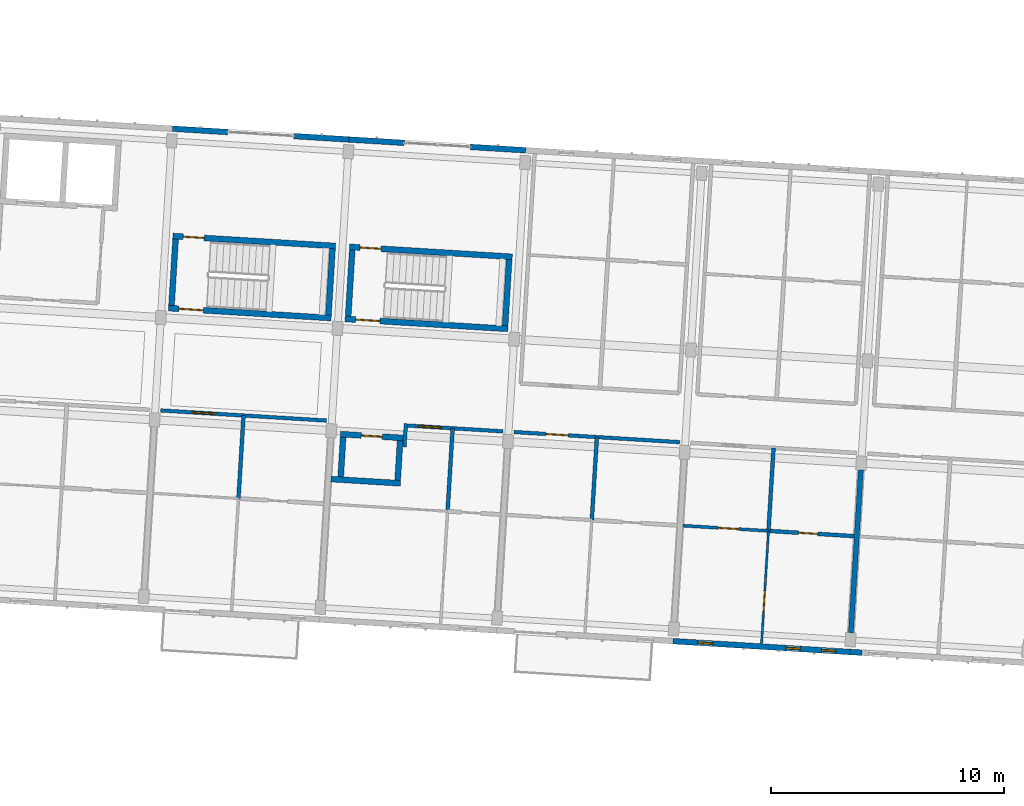
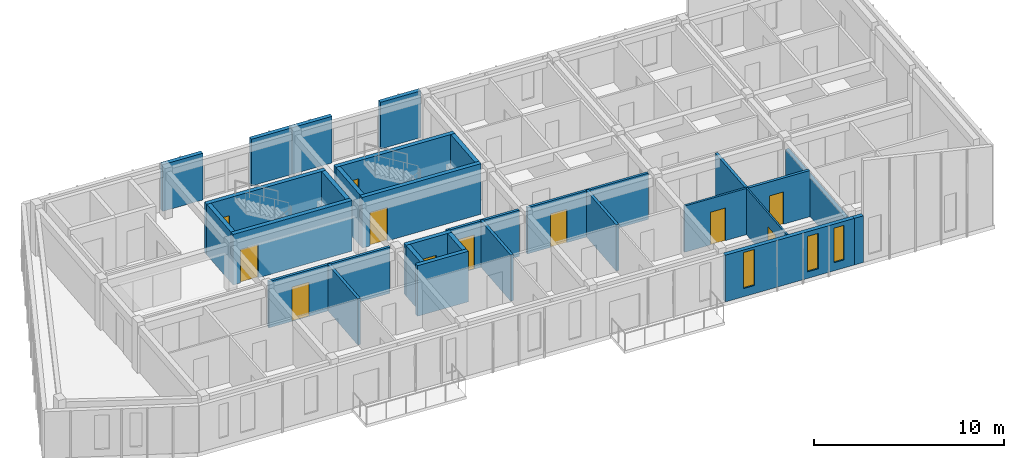
# One storey, part 26 of 64: 30 walls, 11 doors, 3 windows, 14 openings.
"""IFC4 building model written with IfcOpenShell, lengths in metres."""

from ifc_helpers import new_model, si_unit, direction, frame, frame_2d, origin, place, context, subcontext, project, spatial, rectangle, extrude, material, layer, layer_set, type_object, element, fill, save


model = new_model("IFC4")

# Units and contexts
model_context = context("Model", 3, precision=1e-05, world=origin(), true_north=direction((0.0, 1.0)))
body_context = subcontext(model_context, "Body", "Model", "MODEL_VIEW")
ifc_project = project(units=[si_unit("LENGTHUNIT", "METRE"), si_unit("AREAUNIT", "SQUARE_METRE"), si_unit("VOLUMEUNIT", "CUBIC_METRE"), si_unit("PLANEANGLEUNIT", "RADIAN"), si_unit("MASSUNIT", "GRAM", prefix="KILO")], contexts=[model_context])

# Site, building, storey
site_placement = place(None, origin())
site = spatial("IfcSite", under=ifc_project, at=site_placement, CompositionType="ELEMENT")
building_placement = place(site_placement, origin())
building = spatial("IfcBuilding", under=site, at=building_placement, Name="Kestramere Prow Commons", CompositionType="ELEMENT")
storey_placement = place(building_placement, frame((0.0, 0.0, 24.64990234375)))
storey = spatial("IfcBuildingStorey", under=building, at=storey_placement, Name="L07", CompositionType="ELEMENT", Elevation=24.64990234375)

# Wall, openings, windows
ifc_material_1 = material(Name="Fluoropolymer Standing-Seam Zinc-Aluminium Cladding", Category="aluminium")
ifc_layer_1 = layer(ifc_material_1, 0.239990234375)
ifc_layer_set_1 = layer_set([ifc_layer_1], Name="Fluoropolymer Standing-Seam Zinc-Aluminium Cladding")
wall_type_1 = type_object("IfcWallType", Name="EW-SEAM-240", PredefinedType="SOLIDWALL", material=ifc_layer_set_1)
wall_1_placement = place(storey_placement, frame((97.39697265625, 43.65625, 0.0), z_axis=(0.0, 0.0, 1.0), x_axis=(-0.998135549572, 0.061036257095, 0.0)))
wall_1 = element("IfcWall", 1, at=wall_1_placement, inside=storey, type_object=wall_type_1, Name="Block C L07 South Standing-Seam Wall 5", PredefinedType="SOLIDWALL", context=body_context, shape_type="SweptSolid", body=[
    extrude(rectangle(XDim=7.599853515625, YDim=0.239990234375, at=frame_2d((3.7998046875, 0.0))), origin(), (0.0, 0.0, 1.0), 3.0),
])
opening_1_placement = place(wall_1_placement, frame((0.610107421875, 0.0, 0.52001953125)))
opening_1 = element("IfcOpeningElement", 2, at=opening_1_placement, cuts=wall_1, Name="Opening WN-02", PredefinedType="OPENING", context=body_context, shape_type="SweptSolid", body=[
    extrude(rectangle(XDim=0.60009765625, YDim=2.219970703125, at=frame_2d((0.300048828125, 1.10986328125))), frame((0.0, 0.135009765625, 0.0), z_axis=(0.0, -1.0, 0.0), x_axis=(1.0, 0.0, 0.0)), (0.0, 0.0, 1.0), 0.27001953125),
])
opening_2_placement = place(wall_1_placement, frame((2.132080078125, 0.0, 0.419921875)))
opening_2 = element("IfcOpeningElement", 3, at=opening_2_placement, cuts=wall_1, Name="Opening WN-03", PredefinedType="OPENING", context=body_context, shape_type="SweptSolid", body=[
    extrude(rectangle(XDim=0.6201171875, YDim=2.280029296875, at=frame_2d((0.31005859375, 1.14013671875))), frame((0.0, 0.135009765625, 0.0), z_axis=(0.0, -1.0, 0.0), x_axis=(1.0, 0.0, 0.0)), (0.0, 0.0, 1.0), 0.27001953125),
])
opening_3_placement = place(wall_1_placement, frame((5.87744140625, 0.0, 0.52001953125)))
opening_3 = element("IfcOpeningElement", 4, at=opening_3_placement, cuts=wall_1, Name="Opening WN-05", PredefinedType="OPENING", context=body_context, shape_type="SweptSolid", body=[
    extrude(rectangle(XDim=0.659912109375, YDim=2.320068359375, at=frame_2d((0.330078125, 1.16015625))), frame((0.0, 0.135009765625, 0.0), z_axis=(0.0, -1.0, 0.0), x_axis=(1.0, 0.0, 0.0)), (0.0, 0.0, 1.0), 0.27001953125),
])
ifc_material_2 = material(Name="Low-E Laminated Double Glazing", Category="glass")
window_type_1 = type_object("IfcWindowType", Name="WN-NAR-600A", PartitioningType="SINGLE_PANEL", PredefinedType="WINDOW", material=ifc_material_2)
window_1_placement = place(opening_1_placement, origin())
window_1 = element("IfcWindow", 5, at=window_1_placement, inside=storey, type_object=window_type_1, Name="WN-C-L07-S-4-00", OverallHeight=2.219970703125, OverallWidth=0.60009765625, PartitioningType="SINGLE_PANEL", PredefinedType="WINDOW", context=body_context, shape_type="SweptSolid", body=[
    extrude(rectangle(XDim=0.60009765625, YDim=2.219970703125, at=frame_2d((0.300048828125, 1.10986328125))), frame((0.0, 0.030029296875, 0.0), z_axis=(0.0, -1.0, 0.0), x_axis=(1.0, 0.0, 0.0)), (0.0, 0.0, 1.0), 0.06005859375),
])
fill(opening_1, window_1)
window_type_2 = type_object("IfcWindowType", Name="WN-NAR-620A", PartitioningType="SINGLE_PANEL", PredefinedType="WINDOW", material=ifc_material_2)
window_2_placement = place(opening_2_placement, origin())
window_2 = element("IfcWindow", 6, at=window_2_placement, inside=storey, type_object=window_type_2, Name="WN-C-L07-S-4-01", OverallHeight=2.280029296875, OverallWidth=0.6201171875, PartitioningType="SINGLE_PANEL", PredefinedType="WINDOW", context=body_context, shape_type="SweptSolid", body=[
    extrude(rectangle(XDim=0.6201171875, YDim=2.280029296875, at=frame_2d((0.31005859375, 1.14013671875))), frame((0.0, 0.030029296875, 0.0), z_axis=(0.0, -1.0, 0.0), x_axis=(1.0, 0.0, 0.0)), (0.0, 0.0, 1.0), 0.06005859375),
])
fill(opening_2, window_2)
window_type_3 = type_object("IfcWindowType", Name="WN-NAR-660A", PartitioningType="SINGLE_PANEL", PredefinedType="WINDOW", material=ifc_material_2)
window_3_placement = place(opening_3_placement, origin())
window_3 = element("IfcWindow", 7, at=window_3_placement, inside=storey, type_object=window_type_3, Name="WN-C-L07-S-4-10", OverallHeight=2.320068359375, OverallWidth=0.659912109375, PartitioningType="SINGLE_PANEL", PredefinedType="WINDOW", context=body_context, shape_type="SweptSolid", body=[
    extrude(rectangle(XDim=0.659912109375, YDim=2.320068359375, at=frame_2d((0.330078125, 1.16015625))), frame((0.0, 0.030029296875, 0.0), z_axis=(0.0, -1.0, 0.0), x_axis=(1.0, 0.0, 0.0)), (0.0, 0.0, 1.0), 0.06005859375),
])
fill(opening_3, window_3)

# Walls
wall_2_placement = place(storey_placement, frame((97.921142578125, 43.6240234375, 0.0), z_axis=(0.0, 0.0, 1.0), x_axis=(-0.99811537606, 0.061365267648, 0.0)))
element("IfcWall", 8, at=wall_2_placement, inside=storey, type_object=wall_type_1, Name="Block C L07 South Step-Back Spandrel Wall 6", PredefinedType="SOLIDWALL", context=body_context, shape_type="SweptSolid", body=[
    extrude(rectangle(XDim=0.525146484375, YDim=0.239990234375, at=frame_2d((0.2626953125, 0.0))), origin(), (0.0, 0.0, 1.0), 3.0),
])
wall_3_placement = place(storey_placement, frame((68.314453125, 66.12353515625, 0.0), z_axis=(0.0, 0.0, 1.0), x_axis=(0.998134103342, -0.061059902923, 0.0)))
element("IfcWall", 9, at=wall_3_placement, inside=storey, type_object=wall_type_1, Name="Block C L07 North Standing-Seam Pier 2L", PredefinedType="SOLIDWALL", context=body_context, shape_type="SweptSolid", body=[
    extrude(rectangle(XDim=2.375, YDim=0.239990234375, at=frame_2d((1.1875, 0.0))), origin(), (0.0, 0.0, 1.0), 3.0),
])
wall_4_placement = place(storey_placement, frame((73.52978515625, 65.804443359375, 0.0), z_axis=(0.0, 0.0, 1.0), x_axis=(0.998133720034, -0.061066168473, 0.0)))
element("IfcWall", 10, at=wall_4_placement, inside=storey, type_object=wall_type_1, Name="Block C L07 North Standing-Seam Pier 2R", PredefinedType="SOLIDWALL", context=body_context, shape_type="SweptSolid", body=[
    extrude(rectangle(XDim=2.374755859375, YDim=0.239990234375, at=frame_2d((1.1875, 0.0))), origin(), (0.0, 0.0, 1.0), 3.0),
])
for number, where, z_axis, x_axis, name in (
    (11, (75.900146484375, 65.659423828125, 0.0), (0.0, 0.0, 1.0), (0.998140363035, -0.06095749076, 0.0), "Block C L07 North Standing-Seam Pier 3L"),
    (12, (81.115478515625, 65.340576171875, 0.0), (0.0, 0.0, 1.0), (0.998134103342, -0.061059902923, 0.0), "Block C L07 North Standing-Seam Pier 3R"),
):
    element("IfcWall", number, at=place(storey_placement, frame(where, z_axis=z_axis, x_axis=x_axis)), inside=storey, type_object=wall_type_1, Name=name, PredefinedType="SOLIDWALL", context=body_context, shape_type="SweptSolid", body=[
        extrude(rectangle(XDim=2.375, YDim=0.239990234375, at=frame_2d((1.1875, 0.0))), origin(), (0.0, 0.0, 1.0), 3.0),
    ])

# Wall, opening, door
ifc_material_3 = material(Name="Concrete C40/50", Category="concrete")
ifc_layer_2 = layer(ifc_material_3, 0.25)
ifc_layer_set_2 = layer_set([ifc_layer_2], Name="Concrete C40/50")
wall_type_2 = type_object("IfcWallType", Name="W-CORE-250", PredefinedType="SHEAR", material=ifc_layer_set_2)
wall_5_placement = place(storey_placement, frame((68.3330078125, 61.513671875, 0.0), z_axis=(0.0, 0.0, 1.0), x_axis=(0.998135676081, -0.061034188237, 0.0)))
wall_5 = element("IfcWall", 13, at=wall_5_placement, inside=storey, type_object=wall_type_2, Name="ST-C1 L07 North Shaft Wall", PredefinedType="SHEAR", context=body_context, shape_type="SweptSolid", body=[
    extrude(rectangle(XDim=7.0, YDim=0.25, at=frame_2d((3.5, 0.0))), origin(), (0.0, 0.0, 1.0), 3.25),
])
opening_4_placement = place(wall_5_placement, frame((0.449951171875, 0.0, 0.0)))
opening_4 = element("IfcOpeningElement", 14, at=opening_4_placement, cuts=wall_5, Name="Opening ID-08", PredefinedType="OPENING", context=body_context, shape_type="SweptSolid", body=[
    extrude(rectangle(XDim=0.89990234375, YDim=2.10009765625, at=frame_2d((0.449951171875, 1.050048828125))), frame((0.0, 0.139892578125, 0.0), z_axis=(0.0, -1.0, 0.0), x_axis=(1.0, 0.0, 0.0)), (0.0, 0.0, 1.0), 0.280029296875),
])
ifc_material_4 = material(Name="Engineered Timber Flush Door", Category="wood")
door_type_1 = type_object("IfcDoorType", Name="D-RM-01", OperationType="NOTDEFINED", PredefinedType="DOOR", material=ifc_material_4)
door_1_placement = place(opening_4_placement, origin())
door_1 = element("IfcDoor", 15, at=door_1_placement, inside=storey, type_object=door_type_1, Name="ST-C1 L07 North Room Door", OperationType="SINGLE_SWING_RIGHT", OverallHeight=2.10009765625, OverallWidth=0.89990234375, PredefinedType="DOOR", context=body_context, shape_type="SweptSolid", body=[
    extrude(rectangle(XDim=0.89990234375, YDim=2.10009765625, at=frame_2d((0.449951171875, 1.050048828125))), frame((0.0, 0.02490234375, 0.0), z_axis=(0.0, -1.0, 0.0), x_axis=(1.0, 0.0, 0.0)), (0.0, 0.0, 1.0), 0.050048828125),
])
fill(opening_4, door_1)

wall_6_placement = place(storey_placement, frame((68.143798828125, 58.41943359375, 0.0), z_axis=(0.0, 0.0, 1.0), x_axis=(0.998135546153, -0.061036313012, 0.0)))
wall_6 = element("IfcWall", 16, at=wall_6_placement, inside=storey, type_object=wall_type_2, Name="ST-C1 L07 Corridor Shaft Wall", PredefinedType="SHEAR", context=body_context, shape_type="SweptSolid", body=[
    extrude(rectangle(XDim=6.999755859375, YDim=0.25, at=frame_2d((3.5, 0.0))), origin(), (0.0, 0.0, 1.0), 3.25),
])
opening_5_placement = place(wall_6_placement, frame((0.449951171875, 0.0, 0.0)))
opening_5 = element("IfcOpeningElement", 17, at=opening_5_placement, cuts=wall_6, Name="Opening ID-01", PredefinedType="OPENING", context=body_context, shape_type="SweptSolid", body=[
    extrude(rectangle(XDim=1.050048828125, YDim=2.14990234375, at=frame_2d((0.52490234375, 1.074951171875))), frame((0.0, 0.139892578125, 0.0), z_axis=(0.0, -1.0, 0.0), x_axis=(1.0, 0.0, 0.0)), (0.0, 0.0, 1.0), 0.280029296875),
])
ifc_material_5 = material(Name="Fire-Rated Timber and Steel Frame", Category="steel")
door_type_2 = type_object("IfcDoorType", Name="FD-ST-01", OperationType="NOTDEFINED", PredefinedType="DOOR", material=ifc_material_5)
door_2_placement = place(opening_5_placement, origin())
door_2 = element("IfcDoor", 18, at=door_2_placement, inside=storey, type_object=door_type_2, Name="ST-C1 L07 Protected Stair Door", OperationType="SINGLE_SWING_RIGHT", OverallHeight=2.14990234375, OverallWidth=1.050048828125, PredefinedType="DOOR", context=body_context, shape_type="SweptSolid", body=[
    extrude(rectangle(XDim=1.050048828125, YDim=2.14990234375, at=frame_2d((0.52490234375, 1.074951171875))), frame((0.0, 0.02490234375, 0.0), z_axis=(0.0, -1.0, 0.0), x_axis=(1.0, 0.0, 0.0)), (0.0, 0.0, 1.0), 0.050048828125),
])
fill(opening_5, door_2)

# Walls
for number, where, z_axis, x_axis, name in (
    (19, (68.276123046875, 58.53662109375, 0.0), (0.0, 0.0, 1.0), (0.06107697143, 0.998133059046, 0.0), "ST-C1 L07 Near Shaft Wall"),
    (20, (75.013671875, 58.12451171875, 0.0), (0.0, 0.0, 1.0), (0.060991628362, 0.99813827763, 0.0), "ST-C1 L07 Far Shaft Wall"),
):
    element("IfcWall", number, at=place(storey_placement, frame(where, z_axis=z_axis, x_axis=x_axis)), inside=storey, type_object=wall_type_2, Name=name, PredefinedType="SHEAR", context=body_context, shape_type="SweptSolid", body=[
        extrude(rectangle(XDim=2.85009765625, YDim=0.25, at=frame_2d((1.425048828125, 0.0))), origin(), (0.0, 0.0, 1.0), 3.25),
    ])

# Wall, opening, door
wall_7_placement = place(storey_placement, frame((75.9189453125, 61.0498046875, 0.0), z_axis=(0.0, 0.0, 1.0), x_axis=(0.998135546153, -0.061036313012, 0.0)))
wall_7 = element("IfcWall", 21, at=wall_7_placement, inside=storey, type_object=wall_type_2, Name="ST-C2 L07 North Shaft Wall", PredefinedType="SHEAR", context=body_context, shape_type="SweptSolid", body=[
    extrude(rectangle(XDim=6.999755859375, YDim=0.25, at=frame_2d((3.5, 0.0))), origin(), (0.0, 0.0, 1.0), 3.25),
])
opening_6_placement = place(wall_7_placement, frame((0.449951171875, 0.0, 0.0)))
opening_6 = element("IfcOpeningElement", 22, at=opening_6_placement, cuts=wall_7, Name="Opening ID-08", PredefinedType="OPENING", context=body_context, shape_type="SweptSolid", body=[
    extrude(rectangle(XDim=0.89990234375, YDim=2.10009765625, at=frame_2d((0.449951171875, 1.050048828125))), frame((0.0, 0.139892578125, 0.0), z_axis=(0.0, -1.0, 0.0), x_axis=(1.0, 0.0, 0.0)), (0.0, 0.0, 1.0), 0.280029296875),
])
door_3_placement = place(opening_6_placement, origin())
door_3 = element("IfcDoor", 23, at=door_3_placement, inside=storey, type_object=door_type_1, Name="ST-C2 L07 North Room Door", OperationType="SINGLE_SWING_RIGHT", OverallHeight=2.10009765625, OverallWidth=0.89990234375, PredefinedType="DOOR", context=body_context, shape_type="SweptSolid", body=[
    extrude(rectangle(XDim=0.89990234375, YDim=2.10009765625, at=frame_2d((0.449951171875, 1.050048828125))), frame((0.0, 0.02490234375, 0.0), z_axis=(0.0, -1.0, 0.0), x_axis=(1.0, 0.0, 0.0)), (0.0, 0.0, 1.0), 0.050048828125),
])
fill(opening_6, door_3)

wall_8_placement = place(storey_placement, frame((75.729736328125, 57.95556640625, 0.0), z_axis=(0.0, 0.0, 1.0), x_axis=(0.998135546153, -0.061036313012, 0.0)))
wall_8 = element("IfcWall", 24, at=wall_8_placement, inside=storey, type_object=wall_type_2, Name="ST-C2 L07 Corridor Shaft Wall", PredefinedType="SHEAR", context=body_context, shape_type="SweptSolid", body=[
    extrude(rectangle(XDim=6.999755859375, YDim=0.25, at=frame_2d((3.5, 0.0))), origin(), (0.0, 0.0, 1.0), 3.25),
])
opening_7_placement = place(wall_8_placement, frame((0.449951171875, 0.0, 0.0)))
opening_7 = element("IfcOpeningElement", 25, at=opening_7_placement, cuts=wall_8, Name="Opening ID-01", PredefinedType="OPENING", context=body_context, shape_type="SweptSolid", body=[
    extrude(rectangle(XDim=1.050048828125, YDim=2.14990234375, at=frame_2d((0.52490234375, 1.074951171875))), frame((0.0, 0.139892578125, 0.0), z_axis=(0.0, -1.0, 0.0), x_axis=(1.0, 0.0, 0.0)), (0.0, 0.0, 1.0), 0.280029296875),
])
door_4_placement = place(opening_7_placement, origin())
door_4 = element("IfcDoor", 26, at=door_4_placement, inside=storey, type_object=door_type_2, Name="ST-C2 L07 Protected Stair Door", OperationType="SINGLE_SWING_RIGHT", OverallHeight=2.14990234375, OverallWidth=1.050048828125, PredefinedType="DOOR", context=body_context, shape_type="SweptSolid", body=[
    extrude(rectangle(XDim=1.050048828125, YDim=2.14990234375, at=frame_2d((0.52490234375, 1.074951171875))), frame((0.0, 0.02490234375, 0.0), z_axis=(0.0, -1.0, 0.0), x_axis=(1.0, 0.0, 0.0)), (0.0, 0.0, 1.0), 0.050048828125),
])
fill(opening_7, door_4)

# Walls
for number, where, z_axis, x_axis, name in (
    (27, (75.862060546875, 58.07275390625, 0.0), (0.0, 0.0, 1.0), (0.060991628362, 0.99813827763, 0.0), "ST-C2 L07 Near Shaft Wall"),
    (28, (82.599365234375, 57.66064453125, 0.0), (0.0, 0.0, 1.0), (0.06107697143, 0.998133059046, 0.0), "ST-C2 L07 Far Shaft Wall"),
):
    element("IfcWall", number, at=place(storey_placement, frame(where, z_axis=z_axis, x_axis=x_axis)), inside=storey, type_object=wall_type_2, Name=name, PredefinedType="SHEAR", context=body_context, shape_type="SweptSolid", body=[
        extrude(rectangle(XDim=2.85009765625, YDim=0.25, at=frame_2d((1.425048828125, 0.0))), origin(), (0.0, 0.0, 1.0), 3.25),
    ])

# Wall, opening, door
ifc_material_6 = material(Name="Fire-Rated Calcium Silicate Wall")
ifc_layer_3 = layer(ifc_material_6, 0.155029296875)
ifc_layer_set_3 = layer_set([ifc_layer_3], Name="Fire-Rated Calcium Silicate Wall")
wall_type_3 = type_object("IfcWallType", Name="W-FIRE-150", PredefinedType="PARTITIONING", material=ifc_layer_set_3)
wall_9_placement = place(storey_placement, frame((67.81005859375, 54.026611328125, 0.0), z_axis=(0.0, 0.0, 1.0), x_axis=(0.998136655722, -0.061018165369, 0.0)))
wall_9 = element("IfcWall", 29, at=wall_9_placement, inside=storey, type_object=wall_type_3, Name="Interior Partition PW-C-L07-CS-1", PredefinedType="PARTITIONING", context=body_context, shape_type="SweptSolid", body=[
    extrude(rectangle(XDim=7.1298828125, YDim=0.155029296875, at=frame_2d((3.56494140625, 0.0))), origin(), (0.0, 0.0, 1.0), 2.97021484375),
])
opening_8_placement = place(wall_9_placement, frame((1.35498046875, 0.0, 0.0)))
opening_8 = element("IfcOpeningElement", 30, at=opening_8_placement, cuts=wall_9, Name="Opening ID-05", PredefinedType="OPENING", context=body_context, shape_type="SweptSolid", body=[
    extrude(rectangle(XDim=1.02001953125, YDim=2.199951171875, at=frame_2d((0.510009765625, 1.10009765625))), frame((0.0, 0.092529296875, 0.0), z_axis=(0.0, -1.0, 0.0), x_axis=(1.0, 0.0, 0.0)), (0.0, 0.0, 1.0), 0.18505859375),
])
ifc_material_7 = material(Name="Hardwood Fire-Rated Flat Entrance Door", Category="wood")
door_type_3 = type_object("IfcDoorType", Name="FD-ENT-02", OperationType="NOTDEFINED", PredefinedType="DOOR", material=ifc_material_7)
door_5_placement = place(opening_8_placement, origin())
door_5 = element("IfcDoor", 31, at=door_5_placement, inside=storey, type_object=door_type_3, Name="Interior Door DR-C-L07-ENT-S1", OperationType="SINGLE_SWING_LEFT", OverallHeight=2.199951171875, OverallWidth=1.02001953125, PredefinedType="DOOR", context=body_context, shape_type="SweptSolid", body=[
    extrude(rectangle(XDim=1.02001953125, YDim=2.199951171875, at=frame_2d((0.510009765625, 1.10009765625))), frame((0.0, 0.02490234375, 0.0), z_axis=(0.0, -1.0, 0.0), x_axis=(1.0, 0.0, 0.0)), (0.0, 0.0, 1.0), 0.050048828125),
])
fill(opening_8, door_5)

# Wall
wall_10_placement = place(storey_placement, frame((78.279052734375, 52.464599609375, 0.0), z_axis=(0.0, 0.0, 1.0), x_axis=(0.061095097219, 0.998131949742, 0.0)))
element("IfcWall", 32, at=wall_10_placement, inside=storey, type_object=wall_type_3, Name="Interior Partition PW-C-L07-HS-CLOSER", PredefinedType="PARTITIONING", context=body_context, shape_type="SweptSolid", body=[
    extrude(rectangle(XDim=0.9951171875, YDim=0.155029296875, at=frame_2d((0.49755859375, 0.0))), origin(), (0.0, 0.0, 1.0), 2.97021484375),
])

# Wall, opening, door
wall_11_placement = place(storey_placement, frame((78.415283203125, 53.378173828125, 0.0), z_axis=(0.0, 0.0, 1.0), x_axis=(0.998132736029, -0.061082250024, 0.0)))
wall_11 = element("IfcWall", 33, at=wall_11_placement, inside=storey, type_object=wall_type_3, Name="Interior Partition PW-C-L07-CS-2", PredefinedType="PARTITIONING", context=body_context, shape_type="SweptSolid", body=[
    extrude(rectangle(XDim=4.104736328125, YDim=0.155029296875, at=frame_2d((2.05224609375, 0.0))), origin(), (0.0, 0.0, 1.0), 2.97021484375),
])
opening_9_placement = place(wall_11_placement, frame((0.45703125, 0.0, 0.0)))
opening_9 = element("IfcOpeningElement", 34, at=opening_9_placement, cuts=wall_11, Name="Opening ID-05", PredefinedType="OPENING", context=body_context, shape_type="SweptSolid", body=[
    extrude(rectangle(XDim=1.02001953125, YDim=2.199951171875, at=frame_2d((0.510009765625, 1.10009765625))), frame((0.0, 0.092529296875, 0.0), z_axis=(0.0, -1.0, 0.0), x_axis=(1.0, 0.0, 0.0)), (0.0, 0.0, 1.0), 0.18505859375),
])
door_6_placement = place(opening_9_placement, origin())
door_6 = element("IfcDoor", 35, at=door_6_placement, inside=storey, type_object=door_type_3, Name="Interior Door DR-C-L07-ENT-S2", OperationType="SINGLE_SWING_RIGHT", OverallHeight=2.199951171875, OverallWidth=1.02001953125, PredefinedType="DOOR", context=body_context, shape_type="SweptSolid", body=[
    extrude(rectangle(XDim=1.02001953125, YDim=2.199951171875, at=frame_2d((0.510009765625, 1.10009765625))), frame((0.0, 0.02490234375, 0.0), z_axis=(0.0, -1.0, 0.0), x_axis=(1.0, 0.0, 0.0)), (0.0, 0.0, 1.0), 0.050048828125),
])
fill(opening_9, door_6)

wall_12_placement = place(storey_placement, frame((82.981689453125, 53.098876953125, 0.0), z_axis=(0.0, 0.0, 1.0), x_axis=(0.998134569689, -0.061052279168, 0.0)))
wall_12 = element("IfcWall", 36, at=wall_12_placement, inside=storey, type_object=wall_type_3, Name="Interior Partition PW-C-L07-CS-3", PredefinedType="PARTITIONING", context=body_context, shape_type="SweptSolid", body=[
    extrude(rectangle(XDim=7.1298828125, YDim=0.155029296875, at=frame_2d((3.56494140625, 0.0))), origin(), (0.0, 0.0, 1.0), 2.97021484375),
])
opening_10_placement = place(wall_12_placement, frame((1.35498046875, 0.0, 0.0)))
opening_10 = element("IfcOpeningElement", 37, at=opening_10_placement, cuts=wall_12, Name="Opening ID-04", PredefinedType="OPENING", context=body_context, shape_type="SweptSolid", body=[
    extrude(rectangle(XDim=0.97998046875, YDim=2.14990234375, at=frame_2d((0.489990234375, 1.074951171875))), frame((0.0, 0.092529296875, 0.0), z_axis=(0.0, -1.0, 0.0), x_axis=(1.0, 0.0, 0.0)), (0.0, 0.0, 1.0), 0.18505859375),
])
door_type_4 = type_object("IfcDoorType", Name="FD-ENT-01", OperationType="NOTDEFINED", PredefinedType="DOOR", material=ifc_material_7)
door_7_placement = place(opening_10_placement, origin())
door_7 = element("IfcDoor", 38, at=door_7_placement, inside=storey, type_object=door_type_4, Name="Interior Door DR-C-L07-ENT-S3", OperationType="SINGLE_SWING_LEFT", OverallHeight=2.14990234375, OverallWidth=0.97998046875, PredefinedType="DOOR", context=body_context, shape_type="SweptSolid", body=[
    extrude(rectangle(XDim=0.97998046875, YDim=2.14990234375, at=frame_2d((0.489990234375, 1.074951171875))), frame((0.0, 0.02490234375, 0.0), z_axis=(0.0, -1.0, 0.0), x_axis=(1.0, 0.0, 0.0)), (0.0, 0.0, 1.0), 0.050048828125),
])
fill(opening_10, door_7)

# Wall
ifc_layer_4 = layer(ifc_material_3, 0.25)
ifc_layer_set_4 = layer_set([ifc_layer_4], Name="Concrete C40/50")
wall_type_4 = type_object("IfcWallType", Name="W-HS-250", PredefinedType="SHEAR", material=ifc_layer_set_4)
wall_13_placement = place(storey_placement, frame((75.11865234375, 51.080078125, 0.0), z_axis=(0.0, 0.0, 1.0), x_axis=(0.998133370443, -0.061071882298, 0.0)))
element("IfcWall", 39, at=wall_13_placement, inside=storey, type_object=wall_type_4, Name="Block C L07 Household Shelter South Wall", PredefinedType="SHEAR", context=body_context, shape_type="SweptSolid", body=[
    extrude(rectangle(XDim=2.990234375, YDim=0.25, at=frame_2d((1.4951171875, 0.0))), origin(), (0.0, 0.0, 1.0), 3.25),
])

# Wall, opening, door
wall_14_placement = place(storey_placement, frame((75.52734375, 53.0087890625, 0.0), z_axis=(0.0, 0.0, 1.0), x_axis=(0.998129907752, -0.061128448781, 0.0)))
wall_14 = element("IfcWall", 40, at=wall_14_placement, inside=storey, type_object=wall_type_4, Name="Block C L07 Household Shelter North Wall", PredefinedType="SHEAR", context=body_context, shape_type="SweptSolid", body=[
    extrude(rectangle(XDim=2.699951171875, YDim=0.25, at=frame_2d((1.35009765625, 0.0))), origin(), (0.0, 0.0, 1.0), 3.25),
])
opening_11_placement = place(wall_14_placement, frame((0.89990234375, 0.0, 0.0)))
opening_11 = element("IfcOpeningElement", 41, at=opening_11_placement, cuts=wall_14, Name="Opening ID-06", PredefinedType="OPENING", context=body_context, shape_type="SweptSolid", body=[
    extrude(rectangle(XDim=0.89990234375, YDim=2.050048828125, at=frame_2d((0.449951171875, 1.02490234375))), frame((0.0, 0.139892578125, 0.0), z_axis=(0.0, -1.0, 0.0), x_axis=(1.0, 0.0, 0.0)), (0.0, 0.0, 1.0), 0.280029296875),
])
ifc_material_8 = material(Name="Galvanised Steel S275JR Household Shelter Door", Category="steel")
door_type_5 = type_object("IfcDoorType", Name="FD-HS-01", OperationType="NOTDEFINED", PredefinedType="DOOR", material=ifc_material_8)
door_8_placement = place(opening_11_placement, origin())
door_8 = element("IfcDoor", 42, at=door_8_placement, inside=storey, type_object=door_type_5, Name="Block C L07 Household Shelter Blast Door", OperationType="SINGLE_SWING_LEFT", OverallHeight=2.050048828125, OverallWidth=0.89990234375, PredefinedType="DOOR", context=body_context, shape_type="SweptSolid", body=[
    extrude(rectangle(XDim=0.89990234375, YDim=2.050048828125, at=frame_2d((0.449951171875, 1.02490234375))), frame((0.0, 0.02490234375, 0.0), z_axis=(0.0, -1.0, 0.0), x_axis=(1.0, 0.0, 0.0)), (0.0, 0.0, 1.0), 0.050048828125),
])
fill(opening_11, door_8)

# Walls
wall_15_placement = place(storey_placement, frame((75.54052734375, 51.179443359375, 0.0), z_axis=(0.0, 0.0, 1.0), x_axis=(0.061037062968, 0.998135500293, 0.0)))
element("IfcWall", 43, at=wall_15_placement, inside=storey, type_object=wall_type_4, Name="Block C L07 Household Shelter W Wall", PredefinedType="SHEAR", context=body_context, shape_type="SweptSolid", body=[
    extrude(rectangle(XDim=1.699951171875, YDim=0.25, at=frame_2d((0.85009765625, 0.0))), origin(), (0.0, 0.0, 1.0), 3.25),
])
wall_16_placement = place(storey_placement, frame((77.986083984375, 51.02978515625, 0.0), z_axis=(0.0, 0.0, 1.0), x_axis=(0.061028314627, 0.998136035225, 0.0)))
element("IfcWall", 44, at=wall_16_placement, inside=storey, type_object=wall_type_4, Name="Block C L07 Household Shelter E Wall", PredefinedType="SHEAR", context=body_context, shape_type="SweptSolid", body=[
    extrude(rectangle(XDim=1.7001953125, YDim=0.25, at=frame_2d((0.85009765625, 0.0))), origin(), (0.0, 0.0, 1.0), 3.25),
])

# Wall, opening, door
ifc_material_9 = material(Name="Lightweight Blockwork and Plaster", Category="masonry")
ifc_layer_5 = layer(ifc_material_9, 0.1298828125)
ifc_layer_set_5 = layer_set([ifc_layer_5], Name="Lightweight Blockwork and Plaster")
wall_type_5 = type_object("IfcWallType", Name="W-PART-130", PredefinedType="PARTITIONING", material=ifc_layer_set_5)
wall_17_placement = place(storey_placement, frame((90.229736328125, 49.078857421875, 0.0), z_axis=(0.0, 0.0, 1.0), x_axis=(0.998132682596, -0.061083123148, 0.0)))
wall_17 = element("IfcWall", 45, at=wall_17_placement, inside=storey, type_object=wall_type_5, Name="Interior Partition PW-C-L07-MIDS1-4", PredefinedType="PARTITIONING", context=body_context, shape_type="SweptSolid", body=[
    extrude(rectangle(XDim=3.68505859375, YDim=0.1298828125, at=frame_2d((1.842529296875, 0.0))), origin(), (0.0, 0.0, 1.0), 2.97021484375),
])
opening_12_placement = place(wall_17_placement, frame((1.52490234375, 0.0, 0.0)))
opening_12 = element("IfcOpeningElement", 46, at=opening_12_placement, cuts=wall_17, Name="Opening ID-10", PredefinedType="OPENING", context=body_context, shape_type="SweptSolid", body=[
    extrude(rectangle(XDim=0.8798828125, YDim=2.10009765625, at=frame_2d((0.43994140625, 1.050048828125))), frame((0.0, 0.079833984375, 0.0), z_axis=(0.0, -1.0, 0.0), x_axis=(1.0, 0.0, 0.0)), (0.0, 0.0, 1.0), 0.159912109375),
])
ifc_material_10 = material(Name="Engineered Timber Bedroom Door", Category="wood")
door_type_6 = type_object("IfcDoorType", Name="D-RM-03", OperationType="NOTDEFINED", PredefinedType="DOOR", material=ifc_material_10)
door_9_placement = place(opening_12_placement, origin())
door_9 = element("IfcDoor", 47, at=door_9_placement, inside=storey, type_object=door_type_6, Name="Interior Door DR-C-L07-KL-S4", OperationType="SINGLE_SWING_RIGHT", OverallHeight=2.10009765625, OverallWidth=0.8798828125, PredefinedType="DOOR", context=body_context, shape_type="SweptSolid", body=[
    extrude(rectangle(XDim=0.8798828125, YDim=2.10009765625, at=frame_2d((0.43994140625, 1.050048828125))), frame((0.0, 0.02490234375, 0.0), z_axis=(0.0, -1.0, 0.0), x_axis=(1.0, 0.0, 0.0)), (0.0, 0.0, 1.0), 0.050048828125),
])
fill(opening_12, door_9)

ifc_material_11 = material(Name="Gypsum Acoustic Drywall")
ifc_layer_6 = layer(ifc_material_11, 0.094970703125)
ifc_layer_set_6 = layer_set([ifc_layer_6], Name="Gypsum Acoustic Drywall")
wall_type_6 = type_object("IfcWallType", Name="W-PART-95", PredefinedType="PARTITIONING", material=ifc_layer_set_6)
wall_18_placement = place(storey_placement, frame((93.6123046875, 44.02294921875, 0.0), z_axis=(0.0, 0.0, 1.0), x_axis=(0.061087499584, 0.99813241476, 0.0)))
wall_18 = element("IfcWall", 48, at=wall_18_placement, inside=storey, type_object=wall_type_6, Name="Interior Partition PW-C-L07-LB-S4", PredefinedType="PARTITIONING", context=body_context, shape_type="SweptSolid", body=[
    extrude(rectangle(XDim=4.83984375, YDim=0.094970703125, at=frame_2d((2.419921875, 0.0))), origin(), (0.0, 0.0, 1.0), 2.97021484375),
])
opening_13_placement = place(wall_18_placement, frame((1.35009765625, 0.0, 0.0)))
opening_13 = element("IfcOpeningElement", 49, at=opening_13_placement, cuts=wall_18, Name="Opening ID-08", PredefinedType="OPENING", context=body_context, shape_type="SweptSolid", body=[
    extrude(rectangle(XDim=0.89990234375, YDim=2.10009765625, at=frame_2d((0.449951171875, 1.050048828125))), frame((0.0, 0.0625, 0.0), z_axis=(0.0, -1.0, 0.0), x_axis=(1.0, 0.0, 0.0)), (0.0, 0.0, 1.0), 0.125),
])
door_10_placement = place(opening_13_placement, origin())
door_10 = element("IfcDoor", 50, at=door_10_placement, inside=storey, type_object=door_type_1, Name="Interior Door DR-C-L07-BED-S4", OperationType="SINGLE_SWING_LEFT", OverallHeight=2.10009765625, OverallWidth=0.89990234375, PredefinedType="DOOR", context=body_context, shape_type="SweptSolid", body=[
    extrude(rectangle(XDim=0.89990234375, YDim=2.10009765625, at=frame_2d((0.449951171875, 1.050048828125))), frame((0.0, 0.02490234375, 0.0), z_axis=(0.0, -1.0, 0.0), x_axis=(1.0, 0.0, 0.0)), (0.0, 0.0, 1.0), 0.050048828125),
])
fill(opening_13, door_10)

# Walls
ifc_material_12 = material(Name="Waterproof Sanitary Masonry Wall", Category="masonry")
ifc_layer_7 = layer(ifc_material_12, 0.1650390625)
ifc_layer_set_7 = layer_set([ifc_layer_7], Name="Waterproof Sanitary Masonry Wall")
wall_type_7 = type_object("IfcWallType", Name="W-PLUMB-150", PredefinedType="PLUMBINGWALL", material=ifc_layer_set_7)
wall_19_placement = place(storey_placement, frame((71.150390625, 50.245849609375, 0.0), z_axis=(0.0, 0.0, 1.0), x_axis=(0.061071129902, 0.998133416479, 0.0)))
element("IfcWall", 51, at=wall_19_placement, inside=storey, type_object=wall_type_7, Name="Interior Partition PW-C-L07-KB-S1", PredefinedType="PLUMBINGWALL", context=body_context, shape_type="SweptSolid", body=[
    extrude(rectangle(XDim=3.56982421875, YDim=0.1650390625, at=frame_2d((1.784912109375, 0.0))), origin(), (0.0, 0.0, 1.0), 2.97021484375),
])
wall_20_placement = place(storey_placement, frame((80.128662109375, 49.696533203125, 0.0), z_axis=(0.0, 0.0, 1.0), x_axis=(0.061066961405, 0.998133671521, 0.0)))
element("IfcWall", 52, at=wall_20_placement, inside=storey, type_object=wall_type_7, Name="Interior Partition PW-C-L07-KB-S2", PredefinedType="PLUMBINGWALL", context=body_context, shape_type="SweptSolid", body=[
    extrude(rectangle(XDim=3.570068359375, YDim=0.1650390625, at=frame_2d((1.78515625, 0.0))), origin(), (0.0, 0.0, 1.0), 2.97021484375),
])
wall_21_placement = place(storey_placement, frame((86.322021484375, 49.31787109375, 0.0), z_axis=(0.0, 0.0, 1.0), x_axis=(0.061071129902, 0.998133416479, 0.0)))
element("IfcWall", 53, at=wall_21_placement, inside=storey, type_object=wall_type_7, Name="Interior Partition PW-C-L07-KB-S3", PredefinedType="PLUMBINGWALL", context=body_context, shape_type="SweptSolid", body=[
    extrude(rectangle(XDim=3.56982421875, YDim=0.1650390625, at=frame_2d((1.784912109375, 0.0))), origin(), (0.0, 0.0, 1.0), 2.97021484375),
])

# Wall, opening, door
wall_22_placement = place(storey_placement, frame((93.907958984375, 48.853759765625, 0.0), z_axis=(0.0, 0.0, 1.0), x_axis=(0.998136472989, -0.061021154439, 0.0)))
wall_22 = element("IfcWall", 54, at=wall_22_placement, inside=storey, type_object=wall_type_7, Name="Interior Partition PW-C-L07-MIDS2-4", PredefinedType="PLUMBINGWALL", context=body_context, shape_type="SweptSolid", body=[
    extrude(rectangle(XDim=3.684814453125, YDim=0.1650390625, at=frame_2d((1.84228515625, 0.0))), origin(), (0.0, 0.0, 1.0), 2.97021484375),
])
opening_14_placement = place(wall_22_placement, frame((1.300048828125, 0.0, 0.0)))
opening_14 = element("IfcOpeningElement", 55, at=opening_14_placement, cuts=wall_22, Name="Opening ID-11", PredefinedType="OPENING", context=body_context, shape_type="SweptSolid", body=[
    extrude(rectangle(XDim=0.820068359375, YDim=2.080078125, at=frame_2d((0.41015625, 1.0400390625))), frame((0.0, 0.097412109375, 0.0), z_axis=(0.0, -1.0, 0.0), x_axis=(1.0, 0.0, 0.0)), (0.0, 0.0, 1.0), 0.195068359375),
])
ifc_material_13 = material(Name="Moisture-Resistant Timber Bathroom Door", Category="wood")
door_type_7 = type_object("IfcDoorType", Name="D-BT-01", OperationType="NOTDEFINED", PredefinedType="DOOR", material=ifc_material_13)
door_11_placement = place(opening_14_placement, origin())
door_11 = element("IfcDoor", 56, at=door_11_placement, inside=storey, type_object=door_type_7, Name="Interior Door DR-C-L07-BTH-S4", OperationType="SINGLE_SWING_LEFT", OverallHeight=2.080078125, OverallWidth=0.820068359375, PredefinedType="DOOR", context=body_context, shape_type="SweptSolid", body=[
    extrude(rectangle(XDim=0.820068359375, YDim=2.080078125, at=frame_2d((0.41015625, 1.0400390625))), frame((0.0, 0.02490234375, 0.0), z_axis=(0.0, -1.0, 0.0), x_axis=(1.0, 0.0, 0.0)), (0.0, 0.0, 1.0), 0.050048828125),
])
fill(opening_14, door_11)

# Walls
wall_23_placement = place(storey_placement, frame((93.907958984375, 48.853759765625, 0.0), z_axis=(0.0, 0.0, 1.0), x_axis=(0.060998831939, 0.998137837426, 0.0)))
element("IfcWall", 57, at=wall_23_placement, inside=storey, type_object=wall_type_7, Name="Interior Partition PW-C-L07-KB-S4", PredefinedType="PLUMBINGWALL", context=body_context, shape_type="SweptSolid", body=[
    extrude(rectangle(XDim=3.570068359375, YDim=0.1650390625, at=frame_2d((1.78515625, 0.0))), origin(), (0.0, 0.0, 1.0), 2.97021484375),
])
ifc_material_14 = material(Name="Precast concrete C40/50", Category="concrete")
ifc_layer_8 = layer(ifc_material_14, 0.219970703125)
ifc_layer_set_8 = layer_set([ifc_layer_8], Name="Precast concrete C40/50")
wall_type_8 = type_object("IfcWallType", Name="W-XWALL-220", PredefinedType="SHEAR", material=ifc_layer_set_8)
wall_24_placement = place(storey_placement, frame((97.447509765625, 44.4794921875, 0.0), z_axis=(0.0, 0.0, 1.0), x_axis=(0.061034188237, 0.998135676081, 0.0)))
element("IfcWall", 58, at=wall_24_placement, inside=storey, type_object=wall_type_8, Name="Block C L07 Precast Cross-Wall 5", PredefinedType="SHEAR", context=body_context, shape_type="SweptSolid", body=[
    extrude(rectangle(XDim=7.0, YDim=0.219970703125, at=frame_2d((3.5, 0.0))), origin(), (0.0, 0.0, 1.0), 2.5),
])

save(model, "model.ifc")
